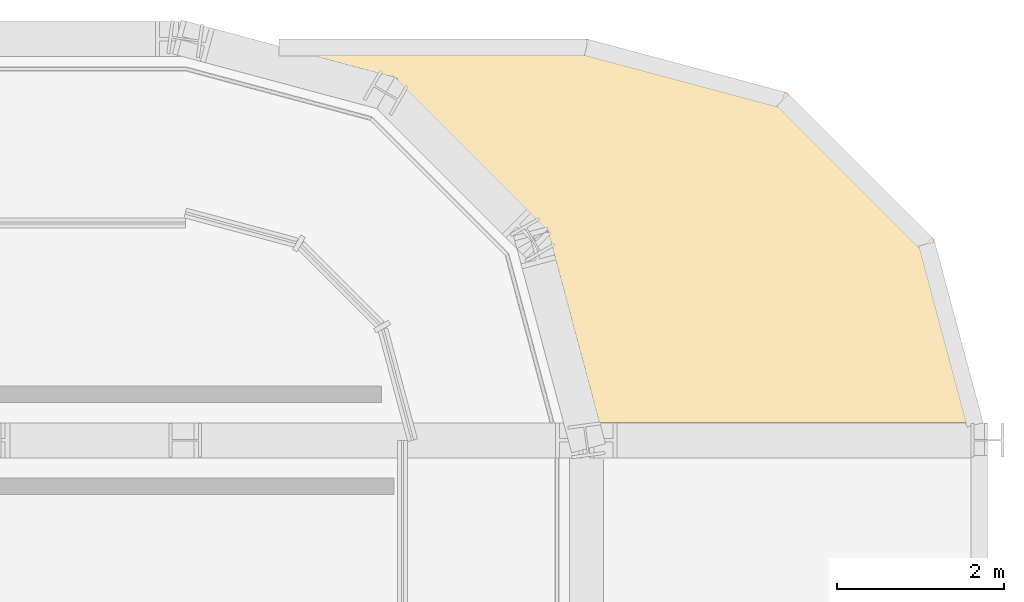
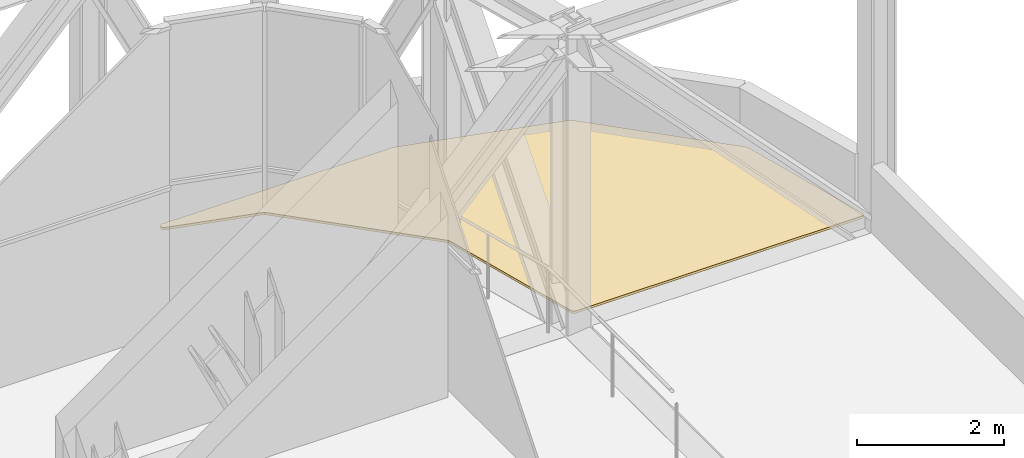
# One storey, part 26 of 26: 1 covering.
"""IFC4 building model written with IfcOpenShell, lengths in metres."""

from ifc_helpers import new_model, si_unit, direction, frame, origin, place, context, subcontext, project, spatial, polyline, outline, extrude, material, layer, layer_set, type_object, element, save


model = new_model("IFC4")

# Units and contexts
model_context = context("Model", 3, precision=1e-05, world=origin(), true_north=direction((0.0, 1.0)))
body_context = subcontext(model_context, "Body", "Model", "MODEL_VIEW")
ifc_project = project(units=[si_unit("LENGTHUNIT", "METRE"), si_unit("AREAUNIT", "SQUARE_METRE"), si_unit("VOLUMEUNIT", "CUBIC_METRE"), si_unit("PLANEANGLEUNIT", "RADIAN"), si_unit("MASSUNIT", "GRAM", prefix="KILO")], contexts=[model_context])

# Site, building, storey
site_placement = place(None, origin())
site = spatial("IfcSite", under=ifc_project, at=site_placement, CompositionType="ELEMENT")
building_placement = place(site_placement, origin())
building = spatial("IfcBuilding", under=site, at=building_placement, Name="Madar Terraces", CompositionType="ELEMENT")
storey_placement = place(building_placement, frame((0.0, 0.0, 233.300048828125)))
storey = spatial("IfcBuildingStorey", under=building, at=storey_placement, Name="L61", CompositionType="ELEMENT", Elevation=233.300048828125)

# Covering
ifc_material = material(Name="Porcelain paving slabs on pedestals")
ifc_layer = layer(ifc_material, 0.0400390625)
ifc_layer_set = layer_set([ifc_layer], Name="Terrace paving 40")
covering_type = type_object("IfcCoveringType", Name="Terrace paving 40", PredefinedType="FLOORING", material=ifc_layer_set)
covering_placement = place(storey_placement, origin())
element("IfcCovering", 1, at=covering_placement, inside=storey, type_object=covering_type, Name="Terrace paving", PredefinedType="FLOORING", context=body_context, shape_type="SweptSolid", body=[
    extrude(outline(polyline([(53.9521484375, 52.703125), (53.947509765625, 52.705078125), (53.943359375, 52.70751953125), (53.939208984375, 52.71044921875), (53.935302734375, 52.713623046875), (53.931884765625, 52.71728515625), (53.928955078125, 52.72119140625), (53.92626953125, 52.725341796875), (53.924072265625, 52.729736328125), (53.92236328125, 52.734619140625), (53.9208984375, 52.7392578125), (53.920166015625, 52.744140625), (53.919921875, 52.7490234375), (53.919921875, 52.754150390625), (53.920654296875, 52.759033203125), (53.921630859375, 52.763916015625), (53.92333984375, 52.7685546875), (53.92529296875, 52.77294921875), (53.927978515625, 52.77734375), (53.930908203125, 52.78125), (53.93408203125, 52.784912109375), (53.937744140625, 52.788330078125), (53.941650390625, 52.79150390625), (53.946044921875, 52.7939453125), (53.950439453125, 52.796142578125), (53.955078125, 52.7978515625), (53.9599609375, 52.799072265625), (53.96484375, 52.7998046875), (53.9697265625, 52.800048828125), (57.593505859375, 52.800048828125), (57.597900390625, 52.7998046875), (57.60205078125, 52.79931640625), (57.6064453125, 52.79833984375), (59.987060546875, 52.160400390625), (59.991943359375, 52.15869140625), (59.996826171875, 52.156494140625), (60.00146484375, 52.154052734375), (60.005615234375, 52.15087890625), (60.009521484375, 52.1474609375), (61.747314453125, 50.409423828125), (61.7509765625, 50.405517578125), (61.75390625, 50.4013671875), (61.756591796875, 50.396728515625), (61.7587890625, 50.39208984375), (61.760498046875, 50.38720703125), (62.328369140625, 48.267333984375), (62.329345703125, 48.2626953125), (62.329833984375, 48.2578125), (62.330078125, 48.253173828125), (62.32958984375, 48.248291015625), (62.328857421875, 48.243408203125), (62.32763671875, 48.239013671875), (62.32568359375, 48.234375), (62.32373046875, 48.22998046875), (62.321044921875, 48.22607421875), (62.318115234375, 48.22216796875), (62.31494140625, 48.218505859375), (62.311279296875, 48.21533203125), (62.307373046875, 48.212646484375), (62.30322265625, 48.210205078125), (62.298828125, 48.2080078125), (62.294189453125, 48.20654296875), (62.28955078125, 48.205322265625), (62.284912109375, 48.20458984375), (62.280029296875, 48.20458984375), (57.79541015625, 48.20458984375), (57.790283203125, 48.20458984375), (57.785400390625, 48.20556640625), (57.780517578125, 48.206787109375), (57.775634765625, 48.20849609375), (57.77099609375, 48.210693359375), (57.766845703125, 48.21337890625), (57.762939453125, 48.21630859375), (57.75927734375, 48.2197265625), (57.755859375, 48.2236328125), (57.7529296875, 48.227783203125), (57.75048828125, 48.232177734375), (57.74853515625, 48.23681640625), (57.7470703125, 48.241455078125), (57.140625, 50.504638671875), (57.14013671875, 50.505859375), (57.139404296875, 50.5068359375), (55.306884765625, 52.33935546875), (55.305908203125, 52.340087890625), (55.3046875, 52.340576171875), (53.956787109375, 52.70166015625), (53.9521484375, 52.703125)])), origin(), (0.0, 0.0, 1.0), 0.0400390625),
])

save(model, "model.ifc")
